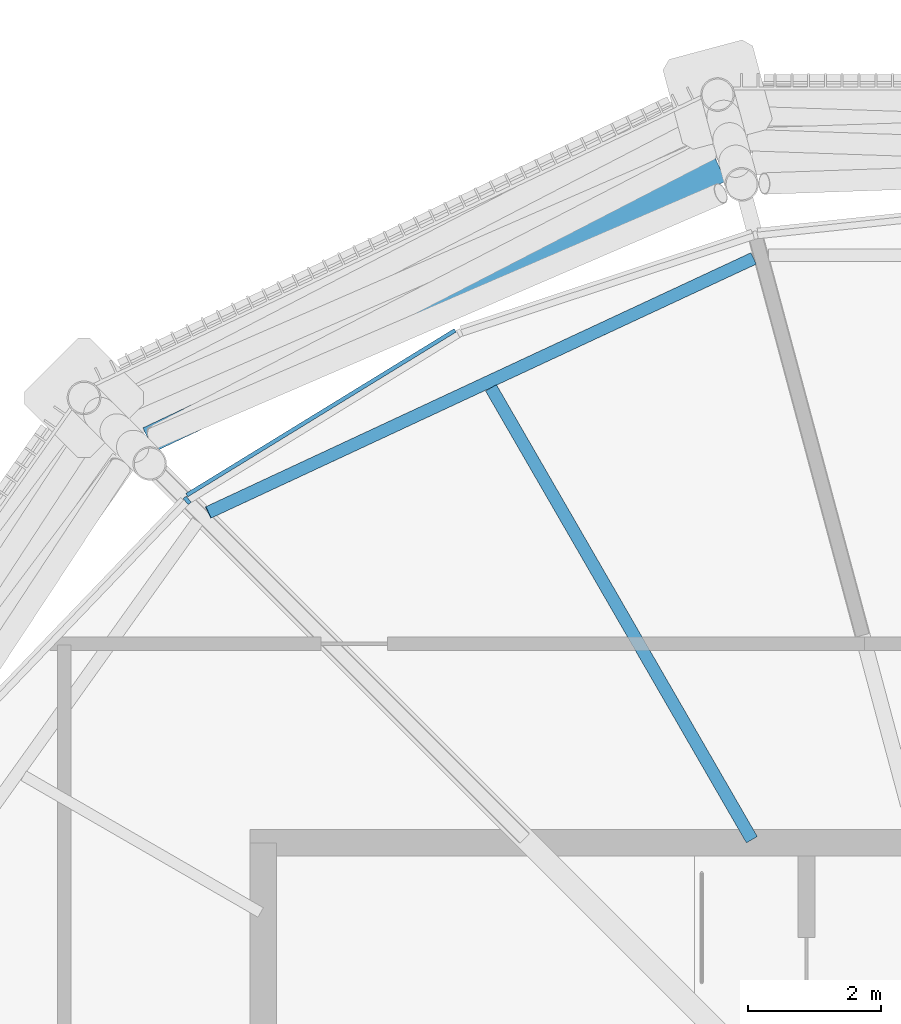
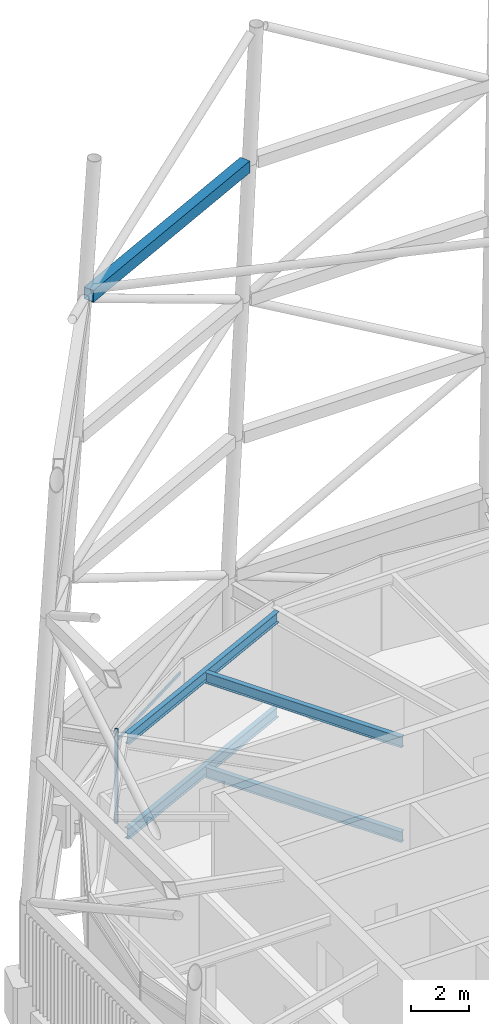
# One storey, part 28 of 71: 5 beams, 2 members, 1 element without a shape of its own.
"""IFC4 building model written with IfcOpenShell, lengths in metres."""

import ifcopenshell
import ifcopenshell.guid

model = None  # the IFC model being written
_history = None  # IfcOwnerHistory: only IFC2X3 demands one
_inside = {}  # id of a spatial element -> (the spatial element, [elements in it])
_under = {}  # id of a project, library or spatial element -> (it, [spatial elements below it])
_declared = {}  # id of a project -> (the project, [libraries it declares])
_typed = {}  # id of a type object -> (the type object, [elements of that type])
_made_of = {}  # id of a material, layer set ... -> (it, [elements and type objects made of it])


def new_model(schema):
    """Start an empty IFC model of exactly this schema.

    Asked for "IFC4X3", IfcOpenShell would pick the latest addendum, in which some entities
    have other attributes; the version numbers below select the first issue.
    IFC2X3 requires an IfcOwnerHistory on every rooted entity: one is made here for all.
    """
    global model, _history
    if schema == "IFC4X3":
        model = ifcopenshell.file(schema_version=(4, 3, 0, 0))
    else:
        model = ifcopenshell.file(schema=schema)
    _inside.clear()
    _under.clear()
    _declared.clear()
    _typed.clear()
    _made_of.clear()
    _history = None
    if model.schema == "IFC2X3":
        org = make("IfcOrganization", Name="unknown")
        user = make(
            "IfcPersonAndOrganization",
            ThePerson=make("IfcPerson", FamilyName="unknown"),
            TheOrganization=org,
        )
        app = make(
            "IfcApplication",
            ApplicationDeveloper=org,
            Version="unknown",
            ApplicationFullName="unknown",
            ApplicationIdentifier="unknown",
        )
        _history = make(
            "IfcOwnerHistory",
            OwningUser=user,
            OwningApplication=app,
            ChangeAction="ADDED",
            CreationDate=0,
        )
    return model


def make(cls, **values):
    """One entity of the class cls with the attributes given. An attribute that is None is left unset."""
    return model.create_entity(
        cls, **{name: value for name, value in values.items() if value is not None}
    )


def rooted(cls, **values):
    """An entity with a GlobalId (a new one), such as an element, a storey or a relation."""
    return make(cls, GlobalId=ifcopenshell.guid.new(), OwnerHistory=_history, **values)


def si_unit(unit_type, name, prefix=None):
    """IfcSIUnit, for example si_unit("LENGTHUNIT", "METRE", prefix="MILLI")."""
    return make("IfcSIUnit", UnitType=unit_type, Prefix=prefix, Name=name)


def assignment(units):
    """IfcUnitAssignment: the units of a project."""
    return None if units is None else make("IfcUnitAssignment", Units=units)


def point(xyz):
    """IfcCartesianPoint."""
    return None if xyz is None else make("IfcCartesianPoint", Coordinates=xyz)


def direction(xyz):
    """IfcDirection."""
    return None if xyz is None else make("IfcDirection", DirectionRatios=xyz)


def frame(location, z_axis=None, x_axis=None):
    """IfcAxis2Placement3D, a coordinate frame: its origin and axes. An axis left out is left unset."""
    return make(
        "IfcAxis2Placement3D",
        Location=point(location),
        Axis=direction(z_axis),
        RefDirection=direction(x_axis),
    )


def frame_2d(location, x_axis=None):
    """IfcAxis2Placement2D, a coordinate frame in the plane: its origin and x axis."""
    return make(
        "IfcAxis2Placement2D", Location=point(location), RefDirection=direction(x_axis)
    )


def origin():
    """The frame at (0, 0, 0) with its axes left unset."""
    return frame((0.0, 0.0, 0.0))


def origin_2d():
    """The frame at (0, 0) in the plane with its x axis left unset."""
    return frame_2d((0.0, 0.0))


def place(relative_to, where):
    """IfcLocalPlacement: puts the frame where relative to a parent placement (None: the world)."""
    return make(
        "IfcLocalPlacement", PlacementRelTo=relative_to, RelativePlacement=where
    )


def context(
    kind, dimensions, precision=None, world=None, true_north=None, identifier=None
):
    """IfcGeometricRepresentationContext, for example the 3D "Model" context."""
    return make(
        "IfcGeometricRepresentationContext",
        ContextIdentifier=identifier,
        ContextType=kind,
        CoordinateSpaceDimension=dimensions,
        Precision=precision,
        WorldCoordinateSystem=world,
        TrueNorth=true_north,
    )


def subcontext(parent, identifier, kind, view, scale=None):
    """IfcGeometricRepresentationSubContext, for example "Body" below "Model"."""
    return make(
        "IfcGeometricRepresentationSubContext",
        ContextIdentifier=identifier,
        ContextType=kind,
        ParentContext=parent,
        TargetScale=scale,
        TargetView=view,
    )


def project(units=None, contexts=None):
    """IfcProject with its units and contexts."""
    return rooted(
        "IfcProject",
        Name="project",
        RepresentationContexts=contexts,
        UnitsInContext=assignment(units),
    )


def spatial(cls, under=None, at=None, **own):
    """A site, building, storey or space (cls), placed at a placement, below another one or the project."""
    s = rooted(cls, ObjectPlacement=at, **own)
    if under is not None:
        _under.setdefault(under.id(), (under, []))[1].append(s)
    return s


def profile(cls, at=None, kind="AREA", **sizes):
    """A parametric profile (cls). Its sizes go by their IFC names, for example OverallWidth=200.0."""
    return make(cls, ProfileType=kind, Position=at, **sizes)


def rectangle(**sizes):
    """IfcRectangleProfileDef."""
    return profile("IfcRectangleProfileDef", **sizes)


def hollow_rectangle(**sizes):
    """IfcRectangleHollowProfileDef."""
    return profile("IfcRectangleHollowProfileDef", **sizes)


def i_section(**sizes):
    """IfcIShapeProfileDef."""
    return profile("IfcIShapeProfileDef", **sizes)


def extrude(swept, where, along, depth):
    """IfcExtrudedAreaSolid: the profile swept, set in the frame where, extruded along a direction by depth."""
    return make(
        "IfcExtrudedAreaSolid",
        SweptArea=swept,
        Position=where,
        ExtrudedDirection=direction(along),
        Depth=depth,
    )


def shape(context_of_items, identifier, shape_type, items):
    """IfcShapeRepresentation: the items that make up one representation, for example the "Body"."""
    return make(
        "IfcShapeRepresentation",
        ContextOfItems=context_of_items,
        RepresentationIdentifier=identifier,
        RepresentationType=shape_type,
        Items=items,
    )


def material(Name=None, Category=None):
    """IfcMaterial."""
    return make("IfcMaterial", Name=Name, Category=Category)


def material_profile(
    of_material, cross_section, Name=None, Category=None, Priority=None
):
    """IfcMaterialProfile: a cross section and its material."""
    return make(
        "IfcMaterialProfile",
        Name=Name,
        Material=of_material,
        Profile=cross_section,
        Priority=Priority,
        Category=Category,
    )


def profile_set(profiles, Name=None, composite=None):
    """IfcMaterialProfileSet."""
    return make(
        "IfcMaterialProfileSet",
        Name=Name,
        MaterialProfiles=profiles,
        CompositeProfile=composite,
    )


def made_of(thing, what):
    """Note that an element or type object is made of a material, layer set ...; save() writes the relation."""
    if what is not None:
        _made_of.setdefault(what.id(), (what, []))[1].append(thing)
    return thing


def type_object(cls, material=None, **own):
    """A type object (cls), such as IfcWallType, which elements share."""
    return made_of(rooted(cls, **own), material)


def element(
    cls,
    number,
    at=None,
    inside=None,
    cuts=None,
    type_object=None,
    material=None,
    context=None,
    identifier="Body",
    shape_type=None,
    held_by="IfcProductDefinitionShape",
    body=None,
    shapes=None,
    **own,
):
    """One element of the class cls, such as IfcWall. Its Tag is "e" and its number.

    at: its placement. inside: the storey or other place that contains it. cuts: it is an
    opening in that element (IfcRelVoidsElement). A single representation is given by context,
    identifier, shape_type and body (its items); several are given by shapes. held_by: the class
    of the entity that holds the representations. save() writes the other relations.
    """
    e = rooted(cls, Tag="e%d" % number, ObjectPlacement=at, **own)
    if body is not None:
        shapes = [shape(context, identifier, shape_type, body)]
    if shapes is not None:
        e.Representation = make(held_by, Representations=shapes)
    if inside is not None:
        _inside.setdefault(inside.id(), (inside, []))[1].append(e)
    if cuts is not None:
        rooted(
            "IfcRelVoidsElement", RelatingBuildingElement=cuts, RelatedOpeningElement=e
        )
    if type_object is not None:
        _typed.setdefault(type_object.id(), (type_object, []))[1].append(e)
    return made_of(e, material)


def aggregate(whole, parts):
    """IfcRelAggregates: a whole, such as a stair, and the parts it consists of."""
    return rooted("IfcRelAggregates", RelatingObject=whole, RelatedObjects=parts)


def save(model, path):
    """Write the relations noted so far, then the file.

    IfcRelAggregates (storeys below a building ...), IfcRelContainedInSpatialStructure (elements
    in a storey), IfcRelDefinesByType, IfcRelAssociatesMaterial and IfcRelDeclares: one each for
    every whole, place, type object, material and project.
    """
    for whole, parts in _under.values():
        aggregate(whole, parts)
    for where, things in _inside.values():
        rooted(
            "IfcRelContainedInSpatialStructure",
            RelatedElements=things,
            RelatingStructure=where,
        )
    for kind, things in _typed.values():
        rooted("IfcRelDefinesByType", RelatedObjects=things, RelatingType=kind)
    for what, things in _made_of.values():
        rooted("IfcRelAssociatesMaterial", RelatedObjects=things, RelatingMaterial=what)
    for by, libraries in _declared.values():
        rooted("IfcRelDeclares", RelatingContext=by, RelatedDefinitions=libraries)
    model.write(path)


model = new_model("IFC4")

# Units and contexts
model_context = context("Model", 3, precision=1e-05, world=origin(), true_north=direction((0.0, 1.0)))
body_context = subcontext(model_context, "Body", "Model", "MODEL_VIEW")
ifc_project = project(units=[si_unit("LENGTHUNIT", "METRE"), si_unit("AREAUNIT", "SQUARE_METRE"), si_unit("VOLUMEUNIT", "CUBIC_METRE"), si_unit("PLANEANGLEUNIT", "RADIAN"), si_unit("MASSUNIT", "GRAM", prefix="KILO")], contexts=[model_context])

# Site, building, storey
site_placement = place(None, origin())
site = spatial("IfcSite", under=ifc_project, at=site_placement, CompositionType="ELEMENT")
building_placement = place(site_placement, origin())
building = spatial("IfcBuilding", under=site, at=building_placement, Name="Rimbun Link Towers", CompositionType="ELEMENT")
storey_placement = place(building_placement, frame((0.0, 0.0, 267.60009765625)))
storey = spatial("IfcBuildingStorey", under=building, at=storey_placement, Name="L65", CompositionType="ELEMENT", Elevation=267.60009765625)

# Curtain wall, members
ifc_material_1 = material(Name="Aluminium 6063-T6 louvre wall", Category="aluminium")
curtain_wall_type = type_object("IfcCurtainWallType", Name="CW6 plant floor louvre wall", PredefinedType="NOTDEFINED", material=ifc_material_1)
curtain_wall_placement = place(storey_placement, origin())
curtain_wall = element("IfcCurtainWall", 1, at=curtain_wall_placement, inside=storey, type_object=curtain_wall_type, Name="CW6 L65 T1", PredefinedType="NOTDEFINED")
ifc_material_2 = material(Name="Aluminium 6063-T6", Category="aluminium")
ifc_material_profile_1 = material_profile(ifc_material_2, rectangle(XDim=0.1201171875, YDim=0.06005859375, at=origin_2d()), Name="MULLION 60X120")
ifc_profile_set_1 = profile_set([ifc_material_profile_1], Name="Aluminium 6063-T6")
member_type_1 = type_object("IfcMemberType", Name="CW6 mullion 60X120", PredefinedType="MULLION", material=ifc_profile_set_1)
member_1_placement = place(storey_placement, frame((-44.897705078125, 13.15673828125, 0.0), z_axis=(0.0, 0.0, 1.0), x_axis=(-0.627674181492, 0.778476153706, 0.0)))
member_1 = element("IfcMember", 2, at=member_1_placement, type_object=member_type_1, Name="CW6 mullion", PredefinedType="MULLION", context=body_context, shape_type="SweptSolid", body=[
    extrude(rectangle(XDim=0.1201171875, YDim=0.06005859375, at=origin_2d()), origin(), (0.0, 0.0, 1.0), 4.0),
])
ifc_material_3 = material(Name="Aluminium 6063-T6", Category="aluminium")
ifc_material_profile_2 = material_profile(ifc_material_3, rectangle(XDim=0.06005859375, YDim=0.1201171875, at=origin_2d()), Name="TRANSOM 60X120")
ifc_profile_set_2 = profile_set([ifc_material_profile_2], Name="Aluminium 6063-T6")
member_type_2 = type_object("IfcMemberType", Name="CW6 transom 60X120", PredefinedType="USERDEFINED", material=ifc_profile_set_2)
member_2_placement = place(storey_placement, frame((-44.902587890625, 13.236572265625, 3.39990234375), z_axis=(0.852181297772, 0.523246629925, 0.0), x_axis=(-0.523246629925, 0.852181297772, 0.0)))
member_2 = element("IfcMember", 3, at=member_2_placement, type_object=member_type_2, Name="CW6 transom", ObjectType="TRANSOM", PredefinedType="USERDEFINED", context=body_context, shape_type="SweptSolid", body=[
    extrude(rectangle(XDim=0.06005859375, YDim=0.1201171875, at=origin_2d()), origin(), (0.0, 0.0, 1.0), 4.740478515625),
])
aggregate(curtain_wall, [member_1, member_2])

# Beams
ifc_material_4 = material(Name="Steel S355J2", Category="steel")
ifc_material_profile_3 = material_profile(ifc_material_4, hollow_rectangle(XDim=0.39990234375, YDim=0.5, WallThickness=0.02001953125, at=origin_2d()), Name="Crown frame ring beam BOX 400x500x20")
ifc_profile_set_3 = profile_set([ifc_material_profile_3], Name="Steel S355J2")
beam_type_1 = type_object("IfcBeamType", Name="Crown frame ring beam BOX 400x500x20", PredefinedType="BEAM", material=ifc_profile_set_3)
beam_1_placement = place(storey_placement, frame((-36.8701171875, 18.143310546875, 22.0), z_axis=(-0.903817675127, -0.42791776094, 0.0), x_axis=(0.42791776094, -0.903817675127, 0.0)))
element("IfcBeam", 4, at=beam_1_placement, inside=storey, type_object=beam_type_1, Name="CROWN FRAME ring beam T1 4-03", PredefinedType="BEAM", context=body_context, shape_type="SweptSolid", body=[
    extrude(hollow_rectangle(XDim=0.39990234375, YDim=0.5, WallThickness=0.02001953125, at=origin_2d()), origin(), (0.0, 0.0, 1.0), 9.525146484375),
])
ifc_material_5 = material(Name="Steel S355J2", Category="steel")
ifc_material_profile_4 = material_profile(ifc_material_5, i_section(OverallWidth=0.18994140625, OverallDepth=0.453369140625, WebThickness=0.008544921875, FlangeThickness=0.0126953125, at=origin_2d()), Name="UB 457x191x67")
ifc_profile_set_4 = profile_set([ifc_material_profile_4], Name="Steel S355J2")
beam_type_2 = type_object("IfcBeamType", Name="UB 457x191x67", PredefinedType="BEAM", material=ifc_profile_set_4)
beam_2_placement = place(storey_placement, frame((-36.396728515625, 8.04833984375, -0.4267578125), z_axis=(-0.499993288894, 0.866029278408, 0.0), x_axis=(-0.866029278408, -0.499993288894, 0.0)))
element("IfcBeam", 5, at=beam_2_placement, inside=storey, type_object=beam_type_2, Name="Radial beam T1 L65 08", PredefinedType="BEAM", context=body_context, shape_type="SweptSolid", body=[
    extrude(i_section(OverallWidth=0.18994140625, OverallDepth=0.453369140625, WebThickness=0.008544921875, FlangeThickness=0.0126953125, at=origin_2d()), origin(), (0.0, 0.0, 1.0), 7.85498046875),
])
beam_3_placement = place(storey_placement, frame((-36.3701171875, 16.79931640625, -0.4267578125), z_axis=(-0.906438968681, -0.42233682773, 0.0), x_axis=(0.42233682773, -0.906438968681, 0.0)))
element("IfcBeam", 6, at=beam_3_placement, inside=storey, type_object=beam_type_2, Name="Edge beam T1 L65 07-09", PredefinedType="BEAM", context=body_context, shape_type="SweptSolid", body=[
    extrude(i_section(OverallWidth=0.18994140625, OverallDepth=0.453369140625, WebThickness=0.008544921875, FlangeThickness=0.0126953125, at=origin_2d()), origin(), (0.0, 0.0, 1.0), 9.0634765625),
])
beam_4_placement = place(storey_placement, frame((-36.396728515625, 8.04833984375, 3.5732421875), z_axis=(-0.499993288894, 0.866029278408, 0.0), x_axis=(-0.866029278408, -0.499993288894, 0.0)))
element("IfcBeam", 7, at=beam_4_placement, inside=storey, type_object=beam_type_2, Name="Radial beam T1 L65 08", PredefinedType="BEAM", context=body_context, shape_type="SweptSolid", body=[
    extrude(i_section(OverallWidth=0.18994140625, OverallDepth=0.453369140625, WebThickness=0.008544921875, FlangeThickness=0.0126953125, at=origin_2d()), origin(), (0.0, 0.0, 1.0), 7.85498046875),
])
beam_5_placement = place(storey_placement, frame((-36.3701171875, 16.79931640625, 3.5732421875), z_axis=(-0.906442010724, -0.422330298693, 0.0), x_axis=(0.422330298693, -0.906442010724, 0.0)))
element("IfcBeam", 8, at=beam_5_placement, inside=storey, type_object=beam_type_2, Name="Edge beam T1 L65 07-09", PredefinedType="BEAM", context=body_context, shape_type="SweptSolid", body=[
    extrude(i_section(OverallWidth=0.18994140625, OverallDepth=0.453369140625, WebThickness=0.008544921875, FlangeThickness=0.0126953125, at=origin_2d()), origin(), (0.0, 0.0, 1.0), 9.05322265625),
])

save(model, "model.ifc")
